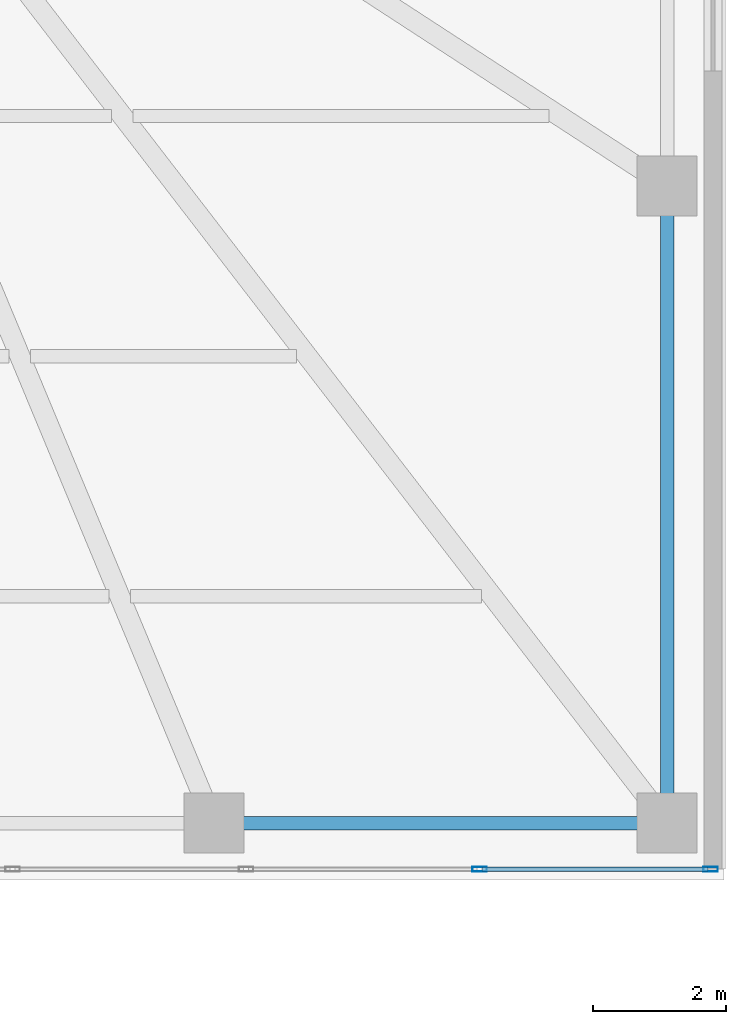
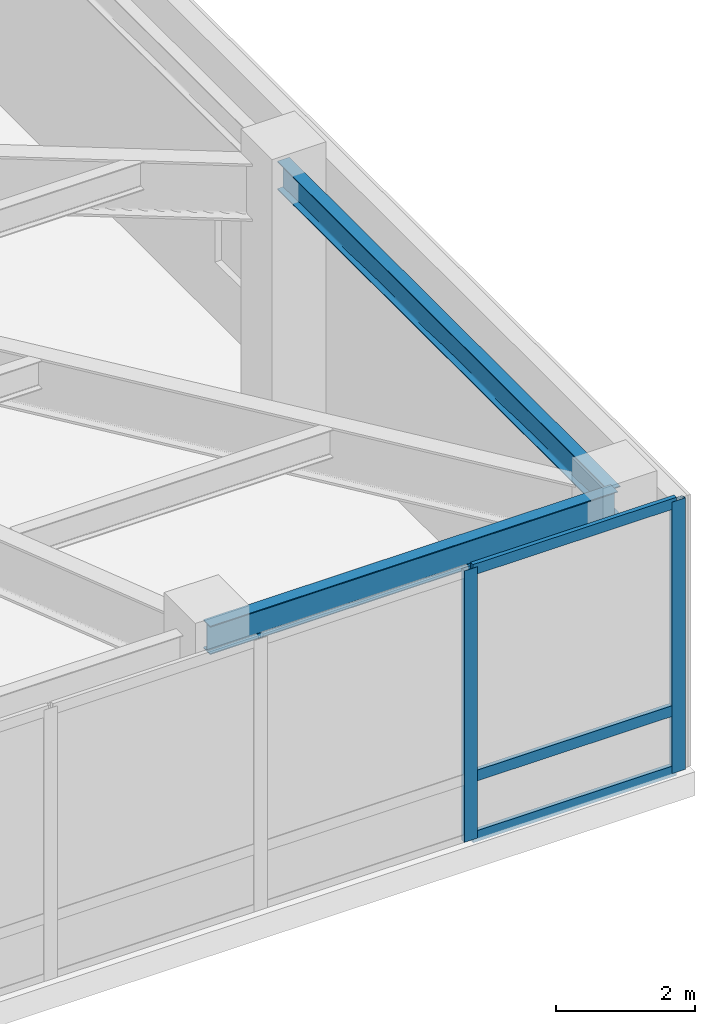
# One storey, part 6 of 15: 5 members, 2 beams, 1 element without a shape of its own.
"""IFC4 building model written with IfcOpenShell, lengths in metres."""

from ifc_helpers import new_model, si_unit, direction, frame, origin, origin_2d, place, context, subcontext, project, spatial, hollow_rectangle, i_section, extrude, material, material_profile, profile_set, type_object, element, aggregate, save


model = new_model("IFC4")

# Units and contexts
model_context = context("Model", 3, precision=1e-05, world=origin(), true_north=direction((0.0, 1.0)))
body_context = subcontext(model_context, "Body", "Model", "MODEL_VIEW")
ifc_project = project(units=[si_unit("LENGTHUNIT", "METRE"), si_unit("AREAUNIT", "SQUARE_METRE"), si_unit("VOLUMEUNIT", "CUBIC_METRE"), si_unit("PLANEANGLEUNIT", "RADIAN"), si_unit("MASSUNIT", "GRAM", prefix="KILO")], contexts=[model_context])

# Site, building, storey
site_placement = place(None, origin())
site = spatial("IfcSite", under=ifc_project, at=site_placement, CompositionType="ELEMENT")
building_placement = place(site_placement, origin())
building = spatial("IfcBuilding", under=site, at=building_placement, Name="Yelkora Congress Tower", CompositionType="ELEMENT")
storey_placement = place(building_placement, frame((0.0, 0.0, 25.199951171875)))
storey = spatial("IfcBuildingStorey", under=building, at=storey_placement, Name="L05", CompositionType="ELEMENT", Elevation=25.199951171875)

# Beams
ifc_material_1 = material(Name="Steel S355J2", Category="steel")
ifc_material_profile_1 = material_profile(ifc_material_1, i_section(OverallWidth=0.199951171875, OverallDepth=0.5, WebThickness=0.01025390625, FlangeThickness=0.01611328125, FilletRadius=0.02099609375, at=origin_2d()), Name="IPE 500")
ifc_profile_set_1 = profile_set([ifc_material_profile_1], Name="Steel S355J2")
beam_type = type_object("IfcBeamType", Name="BM-SPAN-IPE500", PredefinedType="SPANDREL", material=ifc_profile_set_1)
beam_1_placement = place(storey_placement, frame((65.56005859375, 6.050048828125, 4.530029296875), z_axis=(1.0, 0.0, 0.0), x_axis=(0.0, 1.0, 0.0)))
element("IfcBeam", 1, at=beam_1_placement, inside=storey, type_object=beam_type, Name="L05 Perimeter Beam 11", PredefinedType="SPANDREL", context=body_context, shape_type="SweptSolid", body=[
    extrude(i_section(OverallWidth=0.199951171875, OverallDepth=0.5, WebThickness=0.01025390625, FlangeThickness=0.01611328125, FilletRadius=0.02099609375, at=origin_2d()), origin(), (0.0, 0.0, 1.0), 6.7900390625),
])
beam_2_placement = place(storey_placement, frame((72.35009765625, 6.050048828125, 4.530029296875), z_axis=(0.0, 1.0, 0.0), x_axis=(-1.0, 0.0, 0.0)))
element("IfcBeam", 2, at=beam_2_placement, inside=storey, type_object=beam_type, Name="L05 Perimeter Beam 12", PredefinedType="SPANDREL", context=body_context, shape_type="SweptSolid", body=[
    extrude(i_section(OverallWidth=0.199951171875, OverallDepth=0.5, WebThickness=0.01025390625, FlangeThickness=0.01611328125, FilletRadius=0.02099609375, at=origin_2d()), origin(), (0.0, 0.0, 1.0), 9.550048828125),
])

# Curtain wall, members
ifc_material_2 = material(Name="Anodised aluminium and insulated glass", Category="aluminium")
curtain_wall_type = type_object("IfcCurtainWallType", Name="CW-SYS-POD", PredefinedType="NOTDEFINED", material=ifc_material_2)
curtain_wall_placement = place(storey_placement, origin())
curtain_wall = element("IfcCurtainWall", 3, at=curtain_wall_placement, inside=storey, type_object=curtain_wall_type, Name="L05 Podium Curtain Wall East", PredefinedType="NOTDEFINED")
ifc_material_3 = material(Name="Anodised aluminium 6063-T6", Category="aluminium")
ifc_material_profile_2 = material_profile(ifc_material_3, hollow_rectangle(XDim=0.074951171875, YDim=0.219970703125, WallThickness=0.0048828125, at=origin_2d()), Name="ALU 75x220x5")
ifc_profile_set_2 = profile_set([ifc_material_profile_2], Name="Anodised aluminium 6063-T6")
member_type_1 = type_object("IfcMemberType", Name="MEM-ML-POD", PredefinedType="MULLION", material=ifc_profile_set_2)
member_1_placement = place(storey_placement, frame((69.5400390625, 5.360107421875, 0.0), z_axis=(0.0, 0.0, 1.0), x_axis=(0.0, 1.0, 0.0)))
member_1 = element("IfcMember", 4, at=member_1_placement, type_object=member_type_1, Name="CW-POD mullion 4", PredefinedType="MULLION", context=body_context, shape_type="SweptSolid", body=[
    extrude(hollow_rectangle(XDim=0.074951171875, YDim=0.219970703125, WallThickness=0.0048828125, at=origin_2d()), origin(), (0.0, 0.0, 1.0), 4.780029296875),
])
member_2_placement = place(storey_placement, frame((73.00244140625, 5.360107421875, 0.0), z_axis=(0.0, 0.0, 1.0), x_axis=(0.0, 1.0, 0.0)))
member_2 = element("IfcMember", 5, at=member_2_placement, type_object=member_type_1, Name="CW-POD mullion 5", PredefinedType="MULLION", context=body_context, shape_type="SweptSolid", body=[
    extrude(hollow_rectangle(XDim=0.074951171875, YDim=0.219970703125, WallThickness=0.0048828125, at=origin_2d()), origin(), (0.0, 0.0, 1.0), 4.780029296875),
])
ifc_material_profile_3 = material_profile(ifc_material_3, hollow_rectangle(XDim=0.070068359375, YDim=0.18994140625, WallThickness=0.00390625, at=origin_2d()), Name="ALU 70x190x4")
ifc_profile_set_3 = profile_set([ifc_material_profile_3], Name="Anodised aluminium 6063-T6")
member_type_2 = type_object("IfcMemberType", Name="MEM-TR-POD", PredefinedType="USERDEFINED", material=ifc_profile_set_3)
member_3_placement = place(storey_placement, frame((69.577392578125, 5.360107421875, 0.03515625), z_axis=(1.0, 0.0, 0.0), x_axis=(0.0, 1.0, 0.0)))
member_3 = element("IfcMember", 6, at=member_3_placement, type_object=member_type_2, Name="CW-POD transom 4.1", ObjectType="TRANSOM", PredefinedType="USERDEFINED", context=body_context, shape_type="SweptSolid", body=[
    extrude(hollow_rectangle(XDim=0.070068359375, YDim=0.18994140625, WallThickness=0.00390625, at=origin_2d()), origin(), (0.0, 0.0, 1.0), 3.3876953125),
])
member_4_placement = place(storey_placement, frame((69.577392578125, 5.360107421875, 1.10009765625), z_axis=(1.0, 0.0, 0.0), x_axis=(0.0, 1.0, 0.0)))
member_4 = element("IfcMember", 7, at=member_4_placement, type_object=member_type_2, Name="CW-POD transom 4.2", ObjectType="TRANSOM", PredefinedType="USERDEFINED", context=body_context, shape_type="SweptSolid", body=[
    extrude(hollow_rectangle(XDim=0.070068359375, YDim=0.18994140625, WallThickness=0.00390625, at=origin_2d()), origin(), (0.0, 0.0, 1.0), 3.3876953125),
])
member_5_placement = place(storey_placement, frame((69.577392578125, 5.360107421875, 4.7451171875), z_axis=(1.0, 0.0, 0.0), x_axis=(0.0, 1.0, 0.0)))
member_5 = element("IfcMember", 8, at=member_5_placement, type_object=member_type_2, Name="CW-POD transom 4.3", ObjectType="TRANSOM", PredefinedType="USERDEFINED", context=body_context, shape_type="SweptSolid", body=[
    extrude(hollow_rectangle(XDim=0.070068359375, YDim=0.18994140625, WallThickness=0.00390625, at=origin_2d()), origin(), (0.0, 0.0, 1.0), 3.3876953125),
])
aggregate(curtain_wall, [member_1, member_2, member_3, member_4, member_5])

save(model, "model.ifc")
